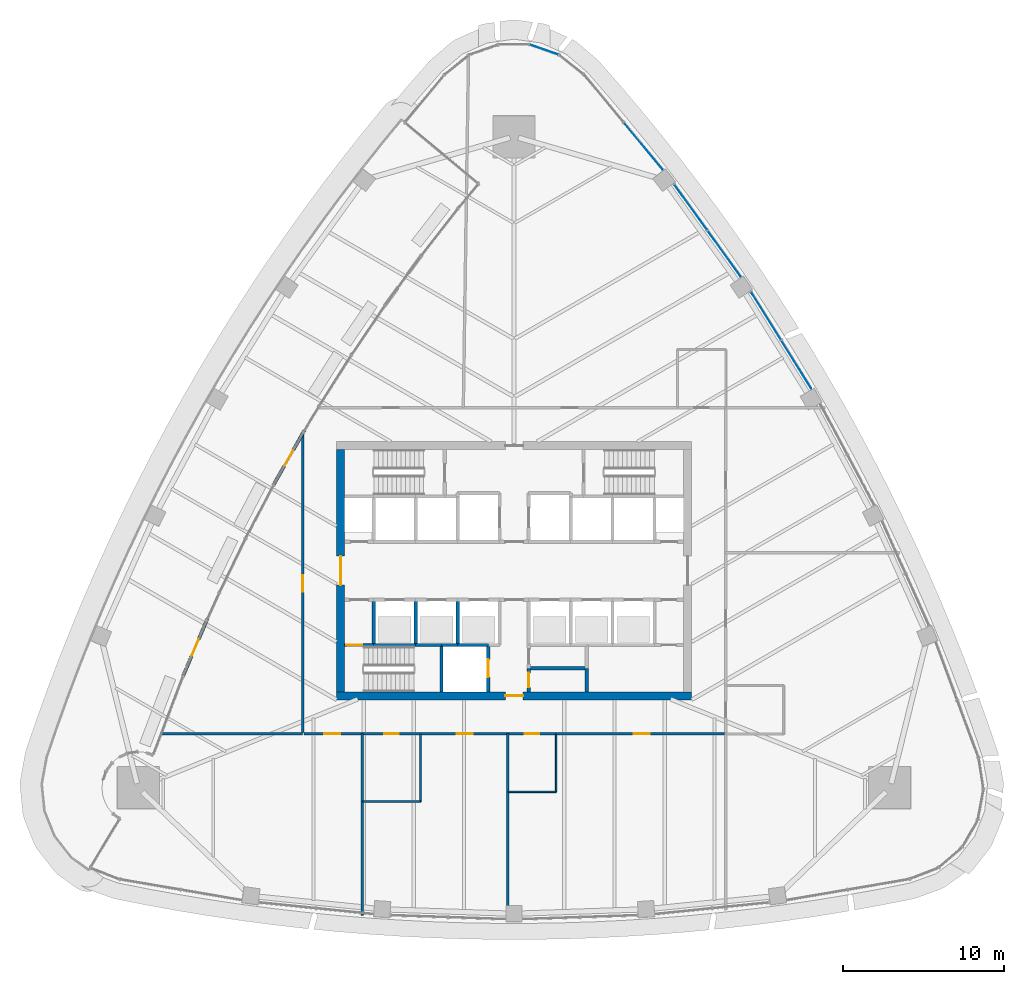
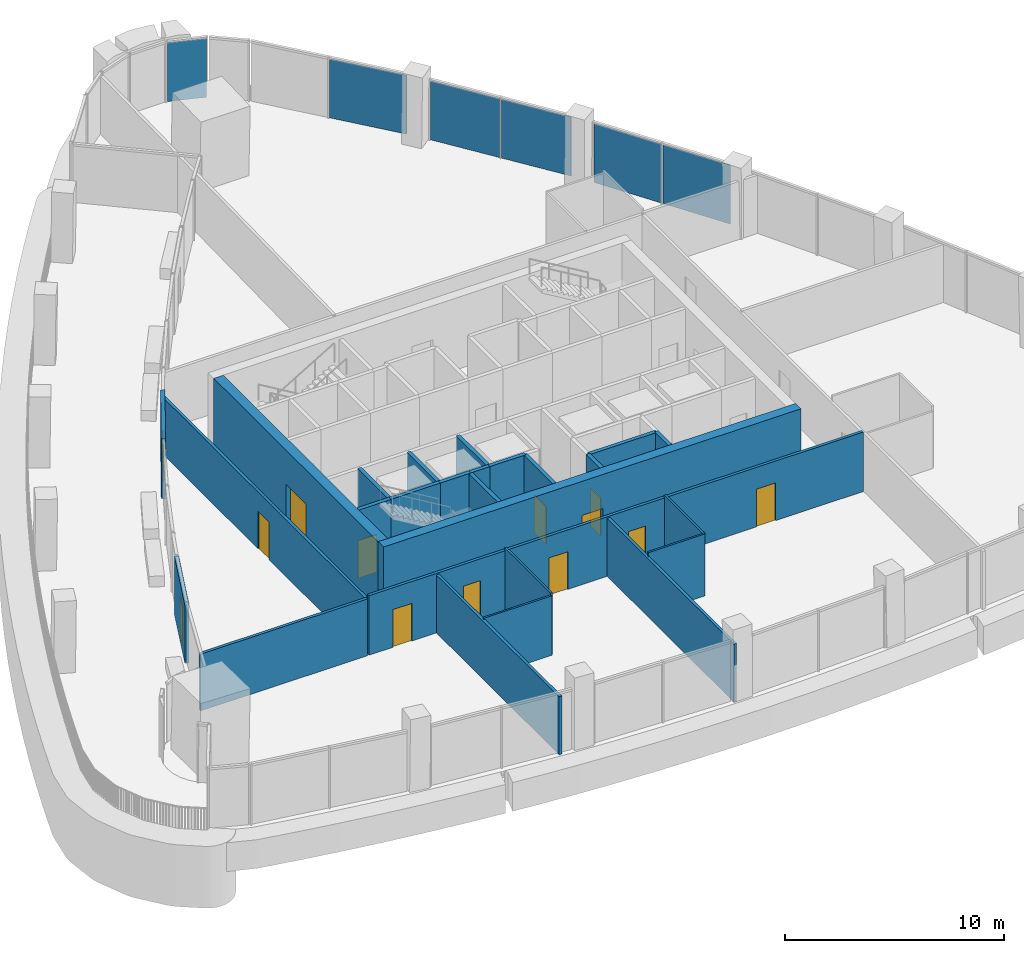
# One storey, part 9 of 18: 26 walls, 13 doors, 6 plates, 13 openings, 4 elements without a shape of their own.
"""IFC4 building model written with IfcOpenShell, lengths in metres."""

from ifc_helpers import new_model, si_unit, direction, frame, frame_2d, origin, origin_2d, place, context, subcontext, project, spatial, rectangle, extrude, material, layer, layer_set, type_object, element, fill, aggregate, save


model = new_model("IFC4")

# Units and contexts
model_context = context("Model", 3, precision=1e-05, world=origin(), true_north=direction((0.0, 1.0)))
body_context = subcontext(model_context, "Body", "Model", "MODEL_VIEW")
ifc_project = project(units=[si_unit("LENGTHUNIT", "METRE"), si_unit("AREAUNIT", "SQUARE_METRE"), si_unit("VOLUMEUNIT", "CUBIC_METRE"), si_unit("PLANEANGLEUNIT", "RADIAN"), si_unit("MASSUNIT", "GRAM", prefix="KILO")], contexts=[model_context])

# Site, building, storey
site_placement = place(None, origin())
site = spatial("IfcSite", under=ifc_project, at=site_placement, CompositionType="ELEMENT")
building_placement = place(site_placement, origin())
building = spatial("IfcBuilding", under=site, at=building_placement, Name="Sierra Prisma Convention Tower", CompositionType="ELEMENT")
storey_placement = place(building_placement, frame((0.0, 0.0, 189.800048828125)))
storey = spatial("IfcBuildingStorey", under=building, at=storey_placement, Name="L42", CompositionType="ELEMENT", Elevation=189.800048828125)

# Curtain wall, plates
ifc_material_1 = material(Name="Aluminium and glass curtain wall", Category="aluminium")
ifc_layer_1 = layer(ifc_material_1, 0.179931640625)
ifc_layer_set_1 = layer_set([ifc_layer_1], Name="CW-1 Plain shaft curtain wall")
curtain_wall_type = type_object("IfcCurtainWallType", Name="CW-1 Plain shaft curtain wall", PredefinedType="NOTDEFINED", material=ifc_layer_set_1)
curtain_wall_1_placement = place(storey_placement, origin())
curtain_wall_1 = element("IfcCurtainWall", 1, at=curtain_wall_1_placement, inside=storey, type_object=curtain_wall_type, Name="CW-1 NE4 L42", PredefinedType="NOTDEFINED")
ifc_material_2 = material(Name="Tinted glass bronze-grey IGU", Category="glass")
ifc_layer_2 = layer(ifc_material_2, 0.028076171875)
ifc_layer_set_2 = layer_set([ifc_layer_2], Name="CW-1 glass panel")
plate_type = type_object("IfcPlateType", Name="CW-1 glass panel", PredefinedType="CURTAIN_PANEL", material=ifc_layer_set_2)
plate_1_placement = place(storey_placement, frame((17.484130859375, 12.768310546875, 0.0), z_axis=(0.0, 0.0, 1.0), x_axis=(-0.529022065491, 0.848608068677, 0.0)))
plate_1 = element("IfcPlate", 2, at=plate_1_placement, type_object=plate_type, Name="CW-1 panel NE4.1", PredefinedType="CURTAIN_PANEL", context=body_context, shape_type="SweptSolid", body=[
    extrude(rectangle(XDim=3.49365234375, YDim=0.028076171875, at=origin_2d()), origin(), (0.0, 0.0, 1.0), 3.280029296875),
])
plate_2_placement = place(storey_placement, frame((15.598876953125, 15.79248046875, 0.0), z_axis=(0.0, 0.0, 1.0), x_axis=(-0.529022065491, 0.848608068677, 0.0)))
plate_2 = element("IfcPlate", 3, at=plate_2_placement, type_object=plate_type, Name="CW-1 panel NE4.2", PredefinedType="CURTAIN_PANEL", context=body_context, shape_type="SweptSolid", body=[
    extrude(rectangle(XDim=3.49365234375, YDim=0.028076171875, at=origin_2d()), origin(), (0.0, 0.0, 1.0), 3.280029296875),
])
aggregate(curtain_wall_1, [plate_1, plate_2])

curtain_wall_2_placement = place(storey_placement, origin())
curtain_wall_2 = element("IfcCurtainWall", 4, at=curtain_wall_2_placement, inside=storey, type_object=curtain_wall_type, Name="CW-1 NE5 L42", PredefinedType="NOTDEFINED")
plate_3_placement = place(storey_placement, frame((13.015380859375, 19.641357421875, 0.0), z_axis=(0.0, 0.0, 1.0), x_axis=(-0.58521542924, 0.810877858484, 0.0)))
plate_3 = element("IfcPlate", 5, at=plate_3_placement, type_object=plate_type, Name="CW-1 panel NE5.1", PredefinedType="CURTAIN_PANEL", context=body_context, shape_type="SweptSolid", body=[
    extrude(rectangle(XDim=3.478515625, YDim=0.028076171875, at=origin_2d()), origin(), (0.0, 0.0, 1.0), 3.280029296875),
])
plate_4_placement = place(storey_placement, frame((10.938720703125, 22.518798828125, 0.0), z_axis=(0.0, 0.0, 1.0), x_axis=(-0.58521542924, 0.810877858484, 0.0)))
plate_4 = element("IfcPlate", 6, at=plate_4_placement, type_object=plate_type, Name="CW-1 panel NE5.2", PredefinedType="CURTAIN_PANEL", context=body_context, shape_type="SweptSolid", body=[
    extrude(rectangle(XDim=3.478515625, YDim=0.028076171875, at=origin_2d()), origin(), (0.0, 0.0, 1.0), 3.280029296875),
])
aggregate(curtain_wall_2, [plate_3, plate_4])

# Curtain wall, plate
curtain_wall_3_placement = place(storey_placement, origin())
curtain_wall_3 = element("IfcCurtainWall", 7, at=curtain_wall_3_placement, inside=storey, type_object=curtain_wall_type, Name="CW-1 NE6 L42", PredefinedType="NOTDEFINED")
plate_5_placement = place(storey_placement, frame((8.000732421875, 26.306884765625, 0.0), z_axis=(0.0, 0.0, 1.0), x_axis=(-0.638727767246, 0.769432803661, 0.0)))
plate_5 = element("IfcPlate", 8, at=plate_5_placement, type_object=plate_type, Name="CW-1 panel NE6.1", PredefinedType="CURTAIN_PANEL", context=body_context, shape_type="SweptSolid", body=[
    extrude(rectangle(XDim=3.749755859375, YDim=0.028076171875, at=origin_2d()), origin(), (0.0, 0.0, 1.0), 3.280029296875),
])
aggregate(curtain_wall_3, [plate_5])

curtain_wall_4_placement = place(storey_placement, origin())
curtain_wall_4 = element("IfcCurtainWall", 9, at=curtain_wall_4_placement, inside=storey, type_object=curtain_wall_type, Name="CW-1 N2 L42", PredefinedType="NOTDEFINED")
plate_6_placement = place(storey_placement, frame((1.886962890625, 32.278076171875, 0.0), z_axis=(0.0, 0.0, 1.0), x_axis=(-0.943538580059, 0.331262657027, 0.0)))
plate_6 = element("IfcPlate", 10, at=plate_6_placement, type_object=plate_type, Name="CW-1 panel N2.1", PredefinedType="CURTAIN_PANEL", context=body_context, shape_type="SweptSolid", body=[
    extrude(rectangle(XDim=1.8017578125, YDim=0.028076171875, at=origin_2d()), origin(), (0.0, 0.0, 1.0), 3.280029296875),
])
aggregate(curtain_wall_4, [plate_6])

# Walls
ifc_material_3 = material(Name="Gypsum board partition", Category="gypsum")
ifc_layer_3 = layer(ifc_material_3, 0.10009765625)
ifc_layer_set_3 = layer_set([ifc_layer_3], Name="Bathroom partition 100")
wall_type_1 = type_object("IfcWallType", Name="Bathroom partition 100", PredefinedType="PARTITIONING", material=ifc_layer_set_3)
wall_1_placement = place(storey_placement, frame((-5.800048828125, -10.1298828125, 0.0), z_axis=(0.0, 0.0, 1.0), x_axis=(0.0, -1.0, 0.0)))
element("IfcWall", 11, at=wall_1_placement, inside=storey, type_object=wall_type_1, Name="Partition L42 bath 1", PredefinedType="PARTITIONING", context=body_context, shape_type="SweptSolid", body=[
    extrude(rectangle(XDim=4.170166015625, YDim=0.10009765625, at=frame_2d((2.0849609375, 0.0))), origin(), (0.0, 0.0, 1.0), 3.449951171875),
])
wall_2_placement = place(storey_placement, frame((-5.800048828125, -14.300048828125, 0.0), z_axis=(0.0, 0.0, 1.0), x_axis=(-1.0, 0.0, 0.0)))
element("IfcWall", 12, at=wall_2_placement, inside=storey, type_object=wall_type_1, Name="Partition L42 bath 2", PredefinedType="PARTITIONING", context=body_context, shape_type="SweptSolid", body=[
    extrude(rectangle(XDim=3.570068359375, YDim=0.10009765625, at=frame_2d((1.78515625, 0.0))), origin(), (0.0, 0.0, 1.0), 3.31689453125),
])
wall_3_placement = place(storey_placement, frame((2.60009765625, -10.1298828125, 0.0), z_axis=(0.0, 0.0, 1.0), x_axis=(0.0, -1.0, 0.0)))
element("IfcWall", 13, at=wall_3_placement, inside=storey, type_object=wall_type_1, Name="Partition L42 bath 3", PredefinedType="PARTITIONING", context=body_context, shape_type="SweptSolid", body=[
    extrude(rectangle(XDim=3.570068359375, YDim=0.10009765625, at=frame_2d((1.78515625, 0.0))), origin(), (0.0, 0.0, 1.0), 3.449951171875),
])
wall_4_placement = place(storey_placement, frame((2.60009765625, -13.699951171875, 0.0), z_axis=(0.0, 0.0, 1.0), x_axis=(-1.0, 0.0, 0.0)))
element("IfcWall", 14, at=wall_4_placement, inside=storey, type_object=wall_type_1, Name="Partition L42 bath 4", PredefinedType="PARTITIONING", context=body_context, shape_type="SweptSolid", body=[
    extrude(rectangle(XDim=2.97021484375, YDim=0.10009765625, at=frame_2d((1.485107421875, 0.0))), origin(), (0.0, 0.0, 1.0), 3.449951171875),
])

# Wall, opening, door
ifc_material_4 = material(Name="Concrete C30/37", Category="concrete")
ifc_layer_4 = layer(ifc_material_4, 0.199951171875)
ifc_layer_set_4 = layer_set([ifc_layer_4], Name="Core wall RC 200 C30/37")
wall_type_2 = type_object("IfcWallType", Name="Core wall RC 200 C30/37", PredefinedType="SOLIDWALL", material=ifc_layer_set_4)
wall_5_placement = place(storey_placement, frame((-10.5, -4.60009765625, 0.0), z_axis=(0.0, 0.0, 1.0), x_axis=(1.0, 0.0, 0.0)))
wall_5 = element("IfcWall", 15, at=wall_5_placement, inside=storey, type_object=wall_type_2, Name="Core wall L42 1", PredefinedType="SOLIDWALL", context=body_context, shape_type="SweptSolid", body=[
    extrude(rectangle(XDim=1.800048828125, YDim=0.199951171875, at=frame_2d((0.89990234375, 0.0))), origin(), (0.0, 0.0, 1.0), 3.849853515625),
])
opening_1_placement = place(wall_5_placement, frame((0.10009765625, 0.0, 0.0)))
opening_1 = element("IfcOpeningElement", 16, at=opening_1_placement, cuts=wall_5, Name="Opening L42-D018", PredefinedType="OPENING", context=body_context, shape_type="SweptSolid", body=[
    extrude(rectangle(XDim=1.0, YDim=2.10009765625, at=frame_2d((0.5, 1.050048828125))), frame((0.0, 0.10009765625, 0.0), z_axis=(0.0, -1.0, 0.0), x_axis=(1.0, 0.0, 0.0)), (0.0, 0.0, 1.0), 0.199951171875),
])
ifc_material_5 = material(Name="Steel fire door leaf", Category="steel")
door_type_1 = type_object("IfcDoorType", Name="Door 1000x2100 FD90S", OperationType="SINGLE_SWING_LEFT", PredefinedType="DOOR", material=ifc_material_5)
door_1_placement = place(opening_1_placement, origin())
door_1 = element("IfcDoor", 17, at=door_1_placement, inside=storey, type_object=door_type_1, Name="Door L42 27", OperationType="SINGLE_SWING_LEFT", OverallHeight=2.10009765625, OverallWidth=1.0, PredefinedType="DOOR", context=body_context, shape_type="SweptSolid", body=[
    extrude(rectangle(XDim=1.0, YDim=2.10009765625, at=frame_2d((0.5, 1.050048828125))), frame((0.0, 0.02490234375, 0.0), z_axis=(0.0, -1.0, 0.0), x_axis=(1.0, 0.0, 0.0)), (0.0, 0.0, 1.0), 0.050048828125),
])
fill(opening_1, door_1)

# Walls
wall_6_placement = place(storey_placement, frame((-8.699951171875, -4.60009765625, 0.0), z_axis=(0.0, 0.0, 1.0), x_axis=(1.0, 0.0, 0.0)))
element("IfcWall", 18, at=wall_6_placement, inside=storey, type_object=wall_type_2, Name="Core wall L42 5", PredefinedType="SOLIDWALL", context=body_context, shape_type="SweptSolid", body=[
    extrude(rectangle(XDim=2.599853515625, YDim=0.199951171875, at=frame_2d((1.2998046875, 0.0))), origin(), (0.0, 0.0, 1.0), 3.849853515625),
])
wall_7_placement = place(storey_placement, frame((-8.699951171875, -4.60009765625, 0.0), z_axis=(0.0, 0.0, 1.0), x_axis=(0.0, 1.0, 0.0)))
element("IfcWall", 19, at=wall_7_placement, inside=storey, type_object=wall_type_2, Name="Core wall L42 6", PredefinedType="SOLIDWALL", context=body_context, shape_type="SweptSolid", body=[
    extrude(rectangle(XDim=2.800048828125, YDim=0.199951171875, at=frame_2d((1.39990234375, 0.0))), origin(), (0.0, 0.0, 1.0), 3.849853515625),
])
wall_8_placement = place(storey_placement, frame((-6.10009765625, -4.60009765625, 0.0), z_axis=(0.0, 0.0, 1.0), x_axis=(1.0, 0.0, 0.0)))
element("IfcWall", 20, at=wall_8_placement, inside=storey, type_object=wall_type_2, Name="Core wall L42 11", PredefinedType="SOLIDWALL", context=body_context, shape_type="SweptSolid", body=[
    extrude(rectangle(XDim=1.60009765625, YDim=0.199951171875, at=frame_2d((0.800048828125, 0.0))), origin(), (0.0, 0.0, 1.0), 3.849853515625),
])
wall_9_placement = place(storey_placement, frame((-6.10009765625, -4.60009765625, 0.0), z_axis=(0.0, 0.0, 1.0), x_axis=(0.0, 1.0, 0.0)))
element("IfcWall", 21, at=wall_9_placement, inside=storey, type_object=wall_type_2, Name="Core wall L42 12", PredefinedType="SOLIDWALL", context=body_context, shape_type="SweptSolid", body=[
    extrude(rectangle(XDim=2.800048828125, YDim=0.199951171875, at=frame_2d((1.39990234375, 0.0))), origin(), (0.0, 0.0, 1.0), 3.849853515625),
])
wall_10_placement = place(storey_placement, frame((-4.5, -4.60009765625, 0.0), z_axis=(0.0, 0.0, 1.0), x_axis=(0.0, -1.0, 0.0)))
element("IfcWall", 22, at=wall_10_placement, inside=storey, type_object=wall_type_2, Name="Core wall L42 17", PredefinedType="SOLIDWALL", context=body_context, shape_type="SweptSolid", body=[
    extrude(rectangle(XDim=2.89990234375, YDim=0.199951171875, at=frame_2d((1.449951171875, 0.0))), origin(), (0.0, 0.0, 1.0), 3.849853515625),
])
wall_11_placement = place(storey_placement, frame((-4.5, -4.60009765625, 0.0), z_axis=(0.0, 0.0, 1.0), x_axis=(1.0, 0.0, 0.0)))
element("IfcWall", 23, at=wall_11_placement, inside=storey, type_object=wall_type_2, Name="Core wall L42 18", PredefinedType="SOLIDWALL", context=body_context, shape_type="SweptSolid", body=[
    extrude(rectangle(XDim=1.0, YDim=0.199951171875, at=frame_2d((0.5, 0.0))), origin(), (0.0, 0.0, 1.0), 3.849853515625),
])
wall_12_placement = place(storey_placement, frame((-3.5, -4.60009765625, 0.0), z_axis=(0.0, 0.0, 1.0), x_axis=(1.0, 0.0, 0.0)))
element("IfcWall", 24, at=wall_12_placement, inside=storey, type_object=wall_type_2, Name="Core wall L42 21", PredefinedType="SOLIDWALL", context=body_context, shape_type="SweptSolid", body=[
    extrude(rectangle(XDim=1.89990234375, YDim=0.199951171875, at=frame_2d((0.949951171875, 0.0))), origin(), (0.0, 0.0, 1.0), 3.849853515625),
])
wall_13_placement = place(storey_placement, frame((-3.5, -4.60009765625, 0.0), z_axis=(0.0, 0.0, 1.0), x_axis=(0.0, 1.0, 0.0)))
element("IfcWall", 25, at=wall_13_placement, inside=storey, type_object=wall_type_2, Name="Core wall L42 22", PredefinedType="SOLIDWALL", context=body_context, shape_type="SweptSolid", body=[
    extrude(rectangle(XDim=2.800048828125, YDim=0.199951171875, at=frame_2d((1.39990234375, 0.0))), origin(), (0.0, 0.0, 1.0), 3.849853515625),
])

# Wall, opening, door
wall_14_placement = place(storey_placement, frame((-1.60009765625, -7.5, 0.0), z_axis=(0.0, 0.0, 1.0), x_axis=(0.0, 1.0, 0.0)))
wall_14 = element("IfcWall", 26, at=wall_14_placement, inside=storey, type_object=wall_type_2, Name="Core wall L42 29", PredefinedType="SOLIDWALL", context=body_context, shape_type="SweptSolid", body=[
    extrude(rectangle(XDim=2.89990234375, YDim=0.199951171875, at=frame_2d((1.449951171875, 0.0))), origin(), (0.0, 0.0, 1.0), 3.849853515625),
])
opening_2_placement = place(wall_14_placement, frame((0.89990234375, 0.0, 0.0)))
opening_2 = element("IfcOpeningElement", 27, at=opening_2_placement, cuts=wall_14, Name="Opening L42-D012", PredefinedType="OPENING", context=body_context, shape_type="SweptSolid", body=[
    extrude(rectangle(XDim=1.10009765625, YDim=2.10009765625, at=frame_2d((0.550048828125, 1.050048828125))), frame((0.0, 0.10009765625, 0.0), z_axis=(0.0, -1.0, 0.0), x_axis=(1.0, 0.0, 0.0)), (0.0, 0.0, 1.0), 0.199951171875),
])
ifc_material_6 = material(Name="Steel fire door leaf", Category="steel")
door_type_2 = type_object("IfcDoorType", Name="Door 1100x2100 EI 90 sliding lift landing", OperationType="SLIDING_TO_LEFT", PredefinedType="DOOR", material=ifc_material_6)
door_2_placement = place(opening_2_placement, origin())
door_2 = element("IfcDoor", 28, at=door_2_placement, inside=storey, type_object=door_type_2, Name="Door L42 21", OperationType="SLIDING_TO_RIGHT", OverallHeight=2.10009765625, OverallWidth=1.10009765625, PredefinedType="DOOR", context=body_context, shape_type="SweptSolid", body=[
    extrude(rectangle(XDim=1.10009765625, YDim=2.10009765625, at=frame_2d((0.550048828125, 1.050048828125))), frame((0.0, 0.02490234375, 0.0), z_axis=(0.0, -1.0, 0.0), x_axis=(1.0, 0.0, 0.0)), (0.0, 0.0, 1.0), 0.050048828125),
])
fill(opening_2, door_2)

wall_15_placement = place(storey_placement, frame((0.89990234375, -6.050048828125, 0.0), z_axis=(0.0, 0.0, 1.0), x_axis=(0.0, -1.0, 0.0)))
wall_15 = element("IfcWall", 29, at=wall_15_placement, inside=storey, type_object=wall_type_2, Name="Core wall L42 34", PredefinedType="SOLIDWALL", context=body_context, shape_type="SweptSolid", body=[
    extrude(rectangle(XDim=1.449951171875, YDim=0.199951171875, at=frame_2d((0.72509765625, 0.0))), origin(), (0.0, 0.0, 1.0), 3.849853515625),
])
opening_3_placement = place(wall_15_placement, frame((0.27490234375, 0.0, 0.0)))
opening_3 = element("IfcOpeningElement", 30, at=opening_3_placement, cuts=wall_15, Name="Opening L42-D023", PredefinedType="OPENING", context=body_context, shape_type="SweptSolid", body=[
    extrude(rectangle(XDim=0.89990234375, YDim=2.10009765625, at=frame_2d((0.449951171875, 1.050048828125))), frame((0.0, 0.10009765625, 0.0), z_axis=(0.0, -1.0, 0.0), x_axis=(1.0, 0.0, 0.0)), (0.0, 0.0, 1.0), 0.199951171875),
])
ifc_material_7 = material(Name="Steel fire door leaf", Category="steel")
door_type_3 = type_object("IfcDoorType", Name="Door 900x2100 FD30S", OperationType="SINGLE_SWING_LEFT", PredefinedType="DOOR", material=ifc_material_7)
door_3_placement = place(opening_3_placement, origin())
door_3 = element("IfcDoor", 31, at=door_3_placement, inside=storey, type_object=door_type_3, Name="Door L42 32", OperationType="SINGLE_SWING_LEFT", OverallHeight=2.10009765625, OverallWidth=0.89990234375, PredefinedType="DOOR", context=body_context, shape_type="SweptSolid", body=[
    extrude(rectangle(XDim=0.89990234375, YDim=2.10009765625, at=frame_2d((0.449951171875, 1.050048828125))), frame((0.0, 0.02490234375, 0.0), z_axis=(0.0, -1.0, 0.0), x_axis=(1.0, 0.0, 0.0)), (0.0, 0.0, 1.0), 0.050048828125),
])
fill(opening_3, door_3)

# Walls
wall_16_placement = place(storey_placement, frame((4.5, -6.050048828125, 0.0), z_axis=(0.0, 0.0, 1.0), x_axis=(-1.0, 0.0, 0.0)))
element("IfcWall", 32, at=wall_16_placement, inside=storey, type_object=wall_type_2, Name="Core wall L42 35", PredefinedType="SOLIDWALL", context=body_context, shape_type="SweptSolid", body=[
    extrude(rectangle(XDim=3.60009765625, YDim=0.199951171875, at=frame_2d((1.800048828125, 0.0))), origin(), (0.0, 0.0, 1.0), 3.849853515625),
])
wall_17_placement = place(storey_placement, frame((4.5, -6.050048828125, 0.0), z_axis=(0.0, 0.0, 1.0), x_axis=(0.0, -1.0, 0.0)))
element("IfcWall", 33, at=wall_17_placement, inside=storey, type_object=wall_type_2, Name="Core wall L42 52", PredefinedType="SOLIDWALL", context=body_context, shape_type="SweptSolid", body=[
    extrude(rectangle(XDim=1.449951171875, YDim=0.199951171875, at=frame_2d((0.72509765625, 0.0))), origin(), (0.0, 0.0, 1.0), 3.849853515625),
])

# Wall, opening, door
ifc_material_8 = material(Name="Concrete C60/75", Category="concrete")
ifc_layer_5 = layer(ifc_material_8, 0.5)
ifc_layer_set_5 = layer_set([ifc_layer_5], Name="Core wall RC 500 C60/75")
wall_type_3 = type_object("IfcWallType", Name="Core wall RC 500 C60/75", PredefinedType="SHEAR", material=ifc_layer_set_5)
wall_18_placement = place(storey_placement, frame((-11.0, -7.75, 0.0), z_axis=(0.0, 0.0, 1.0), x_axis=(1.0, 0.0, 0.0)))
wall_18 = element("IfcWall", 34, at=wall_18_placement, inside=storey, type_object=wall_type_3, Name="Core wall S L42", PredefinedType="SHEAR", context=body_context, shape_type="SweptSolid", body=[
    extrude(rectangle(XDim=22.0, YDim=0.5, at=frame_2d((11.0, 0.0))), origin(), (0.0, 0.0, 1.0), 4.0),
])
opening_4_placement = place(wall_18_placement, frame((10.449951171875, 0.0, 0.0)))
opening_4 = element("IfcOpeningElement", 35, at=opening_4_placement, cuts=wall_18, Name="Opening L42-D039", PredefinedType="OPENING", context=body_context, shape_type="SweptSolid", body=[
    extrude(rectangle(XDim=1.10009765625, YDim=2.10009765625, at=frame_2d((0.550048828125, 1.050048828125))), frame((0.0, 0.25, 0.0), z_axis=(0.0, -1.0, 0.0), x_axis=(1.0, 0.0, 0.0)), (0.0, 0.0, 1.0), 0.5),
])
ifc_material_9 = material(Name="Steel fire door leaf", Category="steel")
door_type_4 = type_object("IfcDoorType", Name="Door 1100x2100 FD30S", OperationType="SINGLE_SWING_LEFT", PredefinedType="DOOR", material=ifc_material_9)
door_4_placement = place(opening_4_placement, origin())
door_4 = element("IfcDoor", 36, at=door_4_placement, inside=storey, type_object=door_type_4, Name="Door L42 37", OperationType="SINGLE_SWING_RIGHT", OverallHeight=2.10009765625, OverallWidth=1.10009765625, PredefinedType="DOOR", context=body_context, shape_type="SweptSolid", body=[
    extrude(rectangle(XDim=1.10009765625, YDim=2.10009765625, at=frame_2d((0.550048828125, 1.050048828125))), frame((0.0, 0.02490234375, 0.0), z_axis=(0.0, -1.0, 0.0), x_axis=(1.0, 0.0, 0.0)), (0.0, 0.0, 1.0), 0.050048828125),
])
fill(opening_4, door_4)

wall_19_placement = place(storey_placement, frame((-10.75, -7.5, 0.0), z_axis=(0.0, 0.0, 1.0), x_axis=(0.0, 1.0, 0.0)))
wall_19 = element("IfcWall", 37, at=wall_19_placement, inside=storey, type_object=wall_type_3, Name="Core wall W L42", PredefinedType="SHEAR", context=body_context, shape_type="SweptSolid", body=[
    extrude(rectangle(XDim=15.0, YDim=0.5, at=frame_2d((7.5, 0.0))), origin(), (0.0, 0.0, 1.0), 4.0),
])
opening_5_placement = place(wall_19_placement, frame((6.60009765625, 0.0, 0.0)))
opening_5 = element("IfcOpeningElement", 38, at=opening_5_placement, cuts=wall_19, Name="Opening L42-D040", PredefinedType="OPENING", context=body_context, shape_type="SweptSolid", body=[
    extrude(rectangle(XDim=1.800048828125, YDim=2.10009765625, at=frame_2d((0.89990234375, 1.050048828125))), frame((0.0, 0.25, 0.0), z_axis=(0.0, -1.0, 0.0), x_axis=(1.0, 0.0, 0.0)), (0.0, 0.0, 1.0), 0.5),
])
ifc_material_10 = material(Name="Steel fire door leaf", Category="steel")
door_type_5 = type_object("IfcDoorType", Name="Door 1800x2100 FD60S", OperationType="DOUBLE_DOOR_SINGLE_SWING", PredefinedType="DOOR", material=ifc_material_10)
door_5_placement = place(opening_5_placement, origin())
door_5 = element("IfcDoor", 39, at=door_5_placement, inside=storey, type_object=door_type_5, Name="Door L42 34", OperationType="DOUBLE_DOOR_SINGLE_SWING", OverallHeight=2.10009765625, OverallWidth=1.800048828125, PredefinedType="DOOR", context=body_context, shape_type="SweptSolid", body=[
    extrude(rectangle(XDim=1.800048828125, YDim=2.10009765625, at=frame_2d((0.89990234375, 1.050048828125))), frame((0.0, 0.02490234375, 0.0), z_axis=(0.0, -1.0, 0.0), x_axis=(1.0, 0.0, 0.0)), (0.0, 0.0, 1.0), 0.050048828125),
])
fill(opening_5, door_5)

ifc_material_11 = material(Name="Gypsum board partition", Category="gypsum")
ifc_layer_6 = layer(ifc_material_11, 0.14990234375)
ifc_layer_set_6 = layer_set([ifc_layer_6], Name="Corridor wall 150 gypsum EI 60")
wall_type_4 = type_object("IfcWallType", Name="Corridor wall 150 gypsum EI 60", PredefinedType="PARTITIONING", material=ifc_layer_set_6)
wall_20_placement = place(storey_placement, frame((-13.10009765625, 8.5107421875, 0.0), z_axis=(0.0, 0.0, 1.0), x_axis=(0.0, -1.0, 0.0)))
wall_20 = element("IfcWall", 40, at=wall_20_placement, inside=storey, type_object=wall_type_4, Name="Partition L42 corr 1", PredefinedType="PARTITIONING", context=body_context, shape_type="SweptSolid", body=[
    extrude(rectangle(XDim=18.53076171875, YDim=0.14990234375, at=frame_2d((9.265380859375, 0.0))), origin(), (0.0, 0.0, 1.0), 3.166015625),
])
opening_6_placement = place(wall_20_placement, frame((8.805419921875, 0.0, 0.0)))
opening_6 = element("IfcOpeningElement", 41, at=opening_6_placement, cuts=wall_20, Name="Opening L42-D029", PredefinedType="OPENING", context=body_context, shape_type="SweptSolid", body=[
    extrude(rectangle(XDim=1.0, YDim=2.10009765625, at=frame_2d((0.5, 1.050048828125))), frame((0.0, 0.074951171875, 0.0), z_axis=(0.0, -1.0, 0.0), x_axis=(1.0, 0.0, 0.0)), (0.0, 0.0, 1.0), 0.14990234375),
])
ifc_material_12 = material(Name="Steel fire door leaf", Category="steel")
door_type_6 = type_object("IfcDoorType", Name="Door 1000x2100 FD30S", OperationType="SINGLE_SWING_LEFT", PredefinedType="DOOR", material=ifc_material_12)
door_6_placement = place(opening_6_placement, origin())
door_6 = element("IfcDoor", 42, at=door_6_placement, inside=storey, type_object=door_type_6, Name="Door L42 5", OperationType="SINGLE_SWING_RIGHT", OverallHeight=2.10009765625, OverallWidth=1.0, PredefinedType="DOOR", context=body_context, shape_type="SweptSolid", body=[
    extrude(rectangle(XDim=1.0, YDim=2.10009765625, at=frame_2d((0.5, 1.050048828125))), frame((0.0, 0.02490234375, 0.0), z_axis=(0.0, -1.0, 0.0), x_axis=(1.0, 0.0, 0.0)), (0.0, 0.0, 1.0), 0.050048828125),
])
fill(opening_6, door_6)

# Wall, openings, doors
wall_21_placement = place(storey_placement, frame((-13.02001953125, -10.10009765625, 0.0), z_axis=(0.0, 0.0, 1.0), x_axis=(1.0, 0.0, 0.0)))
wall_21 = element("IfcWall", 43, at=wall_21_placement, inside=storey, type_object=wall_type_4, Name="Partition L42 corr 2", PredefinedType="PARTITIONING", context=body_context, shape_type="SweptSolid", body=[
    extrude(rectangle(XDim=26.0400390625, YDim=0.14990234375, at=frame_2d((13.02001953125, 0.0))), origin(), (0.0, 0.0, 1.0), 3.31689453125),
])
opening_7_placement = place(wall_21_placement, frame((1.260009765625, 0.0, 0.0)))
opening_7 = element("IfcOpeningElement", 44, at=opening_7_placement, cuts=wall_21, Name="Opening L42-D030", PredefinedType="OPENING", context=body_context, shape_type="SweptSolid", body=[
    extrude(rectangle(XDim=1.0, YDim=2.10009765625, at=frame_2d((0.5, 1.050048828125))), frame((0.0, 0.074951171875, 0.0), z_axis=(0.0, -1.0, 0.0), x_axis=(1.0, 0.0, 0.0)), (0.0, 0.0, 1.0), 0.14990234375),
])
opening_8_placement = place(wall_21_placement, frame((4.969970703125, 0.0, 0.0)))
opening_8 = element("IfcOpeningElement", 45, at=opening_8_placement, cuts=wall_21, Name="Opening L42-D031", PredefinedType="OPENING", context=body_context, shape_type="SweptSolid", body=[
    extrude(rectangle(XDim=0.89990234375, YDim=2.10009765625, at=frame_2d((0.449951171875, 1.050048828125))), frame((0.0, 0.074951171875, 0.0), z_axis=(0.0, -1.0, 0.0), x_axis=(1.0, 0.0, 0.0)), (0.0, 0.0, 1.0), 0.14990234375),
])
opening_9_placement = place(wall_21_placement, frame((9.469970703125, 0.0, 0.0)))
opening_9 = element("IfcOpeningElement", 46, at=opening_9_placement, cuts=wall_21, Name="Opening L42-D032", PredefinedType="OPENING", context=body_context, shape_type="SweptSolid", body=[
    extrude(rectangle(XDim=1.0, YDim=2.10009765625, at=frame_2d((0.5, 1.050048828125))), frame((0.0, 0.074951171875, 0.0), z_axis=(0.0, -1.0, 0.0), x_axis=(1.0, 0.0, 0.0)), (0.0, 0.0, 1.0), 0.14990234375),
])
opening_10_placement = place(wall_21_placement, frame((13.669921875, 0.0, 0.0)))
opening_10 = element("IfcOpeningElement", 47, at=opening_10_placement, cuts=wall_21, Name="Opening L42-D033", PredefinedType="OPENING", context=body_context, shape_type="SweptSolid", body=[
    extrude(rectangle(XDim=0.89990234375, YDim=2.10009765625, at=frame_2d((0.449951171875, 1.050048828125))), frame((0.0, 0.074951171875, 0.0), z_axis=(0.0, -1.0, 0.0), x_axis=(1.0, 0.0, 0.0)), (0.0, 0.0, 1.0), 0.14990234375),
])
opening_11_placement = place(wall_21_placement, frame((20.419921875, 0.0, 0.0)))
opening_11 = element("IfcOpeningElement", 48, at=opening_11_placement, cuts=wall_21, Name="Opening L42-D034", PredefinedType="OPENING", context=body_context, shape_type="SweptSolid", body=[
    extrude(rectangle(XDim=1.0, YDim=2.10009765625, at=frame_2d((0.5, 1.050048828125))), frame((0.0, 0.074951171875, 0.0), z_axis=(0.0, -1.0, 0.0), x_axis=(1.0, 0.0, 0.0)), (0.0, 0.0, 1.0), 0.14990234375),
])
door_7_placement = place(opening_7_placement, origin())
door_7 = element("IfcDoor", 49, at=door_7_placement, inside=storey, type_object=door_type_6, Name="Door L42 6", OperationType="SINGLE_SWING_RIGHT", OverallHeight=2.10009765625, OverallWidth=1.0, PredefinedType="DOOR", context=body_context, shape_type="SweptSolid", body=[
    extrude(rectangle(XDim=1.0, YDim=2.10009765625, at=frame_2d((0.5, 1.050048828125))), frame((0.0, 0.02490234375, 0.0), z_axis=(0.0, -1.0, 0.0), x_axis=(1.0, 0.0, 0.0)), (0.0, 0.0, 1.0), 0.050048828125),
])
fill(opening_7, door_7)
door_8_placement = place(opening_9_placement, origin())
door_8 = element("IfcDoor", 50, at=door_8_placement, inside=storey, type_object=door_type_6, Name="Door L42 8", OperationType="SINGLE_SWING_LEFT", OverallHeight=2.10009765625, OverallWidth=1.0, PredefinedType="DOOR", context=body_context, shape_type="SweptSolid", body=[
    extrude(rectangle(XDim=1.0, YDim=2.10009765625, at=frame_2d((0.5, 1.050048828125))), frame((0.0, 0.02490234375, 0.0), z_axis=(0.0, -1.0, 0.0), x_axis=(1.0, 0.0, 0.0)), (0.0, 0.0, 1.0), 0.050048828125),
])
fill(opening_9, door_8)
door_9_placement = place(opening_11_placement, origin())
door_9 = element("IfcDoor", 51, at=door_9_placement, inside=storey, type_object=door_type_6, Name="Door L42 10", OperationType="SINGLE_SWING_LEFT", OverallHeight=2.10009765625, OverallWidth=1.0, PredefinedType="DOOR", context=body_context, shape_type="SweptSolid", body=[
    extrude(rectangle(XDim=1.0, YDim=2.10009765625, at=frame_2d((0.5, 1.050048828125))), frame((0.0, 0.02490234375, 0.0), z_axis=(0.0, -1.0, 0.0), x_axis=(1.0, 0.0, 0.0)), (0.0, 0.0, 1.0), 0.050048828125),
])
fill(opening_11, door_9)
door_10_placement = place(opening_8_placement, origin())
door_10 = element("IfcDoor", 52, at=door_10_placement, inside=storey, type_object=door_type_3, Name="Door L42 7", OperationType="SINGLE_SWING_LEFT", OverallHeight=2.10009765625, OverallWidth=0.89990234375, PredefinedType="DOOR", context=body_context, shape_type="SweptSolid", body=[
    extrude(rectangle(XDim=0.89990234375, YDim=2.10009765625, at=frame_2d((0.449951171875, 1.050048828125))), frame((0.0, 0.02490234375, 0.0), z_axis=(0.0, -1.0, 0.0), x_axis=(1.0, 0.0, 0.0)), (0.0, 0.0, 1.0), 0.050048828125),
])
fill(opening_8, door_10)
door_11_placement = place(opening_10_placement, origin())
door_11 = element("IfcDoor", 53, at=door_11_placement, inside=storey, type_object=door_type_3, Name="Door L42 9", OperationType="SINGLE_SWING_RIGHT", OverallHeight=2.10009765625, OverallWidth=0.89990234375, PredefinedType="DOOR", context=body_context, shape_type="SweptSolid", body=[
    extrude(rectangle(XDim=0.89990234375, YDim=2.10009765625, at=frame_2d((0.449951171875, 1.050048828125))), frame((0.0, 0.02490234375, 0.0), z_axis=(0.0, -1.0, 0.0), x_axis=(1.0, 0.0, 0.0)), (0.0, 0.0, 1.0), 0.050048828125),
])
fill(opening_10, door_11)

# Walls
ifc_material_13 = material(Name="Gypsum board partition", Category="gypsum")
ifc_layer_7 = layer(ifc_material_13, 0.14990234375)
ifc_layer_set_7 = layer_set([ifc_layer_7], Name="Party wall 150 gypsum")
wall_type_5 = type_object("IfcWallType", Name="Party wall 150 gypsum", PredefinedType="PARTITIONING", material=ifc_layer_set_7)
wall_22_placement = place(storey_placement, frame((-13.10009765625, -10.10009765625, 0.0), z_axis=(0.0, 0.0, 1.0), x_axis=(-1.0, 0.0, 0.0)))
element("IfcWall", 54, at=wall_22_placement, inside=storey, type_object=wall_type_5, Name="Partition L42 party 1", PredefinedType="PARTITIONING", context=body_context, shape_type="SweptSolid", body=[
    extrude(rectangle(XDim=8.791748046875, YDim=0.14990234375, at=frame_2d((4.39599609375, 0.0))), origin(), (0.0, 0.0, 1.0), 3.166015625),
])
wall_23_placement = place(storey_placement, frame((-9.39990234375, -10.10009765625, 0.0), z_axis=(0.0, 0.0, 1.0), x_axis=(0.0, -1.0, 0.0)))
element("IfcWall", 55, at=wall_23_placement, inside=storey, type_object=wall_type_5, Name="Partition L42 party 2", PredefinedType="PARTITIONING", context=body_context, shape_type="SweptSolid", body=[
    extrude(rectangle(XDim=11.2666015625, YDim=0.14990234375, at=frame_2d((5.63330078125, 0.0))), origin(), (0.0, 0.0, 1.0), 3.23388671875),
])
wall_24_placement = place(storey_placement, frame((-0.39990234375, -10.10009765625, 0.0), z_axis=(0.0, 0.0, 1.0), x_axis=(0.0, -1.0, 0.0)))
element("IfcWall", 56, at=wall_24_placement, inside=storey, type_object=wall_type_5, Name="Partition L42 party 4", PredefinedType="PARTITIONING", context=body_context, shape_type="SweptSolid", body=[
    extrude(rectangle(XDim=11.630126953125, YDim=0.14990234375, at=frame_2d((5.81494140625, 0.0))), origin(), (0.0, 0.0, 1.0), 3.23388671875),
])

# Wall, opening, door
ifc_material_14 = material(Name="Precast concrete C40/50", Category="concrete")
ifc_layer_8 = layer(ifc_material_14, 0.199951171875)
ifc_layer_set_8 = layer_set([ifc_layer_8], Name="Terrace door pier")
wall_type_6 = type_object("IfcWallType", Name="Terrace door pier", PredefinedType="SOLIDWALL", material=ifc_layer_set_8)
wall_25_placement = place(storey_placement, frame((-12.99755859375, 8.689453125, 0.0), z_axis=(0.0, 0.0, 1.0), x_axis=(-0.492974917458, -0.870043522335, 0.0)))
wall_25 = element("IfcWall", 57, at=wall_25_placement, inside=storey, type_object=wall_type_6, Name="Terrace door bay L42.7", PredefinedType="SOLIDWALL", context=body_context, shape_type="SweptSolid", body=[
    extrude(rectangle(XDim=3.92626953125, YDim=0.199951171875, at=frame_2d((1.963134765625, 0.0))), origin(), (0.0, 0.0, 1.0), 3.33984375),
])
opening_12_placement = place(wall_25_placement, frame((1.4130859375, 0.0, 0.0)))
opening_12 = element("IfcOpeningElement", 58, at=opening_12_placement, cuts=wall_25, Name="Opening L42-D003", PredefinedType="OPENING", context=body_context, shape_type="SweptSolid", body=[
    extrude(rectangle(XDim=1.10009765625, YDim=2.10009765625, at=frame_2d((0.550048828125, 1.050048828125))), frame((0.0, 0.10009765625, 0.0), z_axis=(0.0, -1.0, 0.0), x_axis=(1.0, 0.0, 0.0)), (0.0, 0.0, 1.0), 0.199951171875),
])
ifc_material_15 = material(Name="Bronze anodised aluminium and glass", Category="aluminium")
door_type_7 = type_object("IfcDoorType", Name="Terrace door 1100 x 2100", OperationType="SINGLE_SWING_LEFT", PredefinedType="DOOR", material=ifc_material_15)
door_12_placement = place(opening_12_placement, origin())
door_12 = element("IfcDoor", 59, at=door_12_placement, inside=storey, type_object=door_type_7, Name="Terrace door L42.7", OperationType="SINGLE_SWING_LEFT", OverallHeight=2.10009765625, OverallWidth=1.10009765625, PredefinedType="DOOR", context=body_context, shape_type="SweptSolid", body=[
    extrude(rectangle(XDim=1.10009765625, YDim=2.10009765625, at=frame_2d((0.550048828125, 1.050048828125))), frame((0.0, 0.02490234375, 0.0), z_axis=(0.0, -1.0, 0.0), x_axis=(1.0, 0.0, 0.0)), (0.0, 0.0, 1.0), 0.050048828125),
])
fill(opening_12, door_12)

wall_26_placement = place(storey_placement, frame((-18.99853515625, -2.961181640625, 0.0), z_axis=(0.0, 0.0, 1.0), x_axis=(-0.391065585554, -0.920362813132, 0.0)))
wall_26 = element("IfcWall", 60, at=wall_26_placement, inside=storey, type_object=wall_type_6, Name="Terrace door bay L42.11", PredefinedType="SOLIDWALL", context=body_context, shape_type="SweptSolid", body=[
    extrude(rectangle(XDim=3.92626953125, YDim=0.199951171875, at=frame_2d((1.963134765625, 0.0))), origin(), (0.0, 0.0, 1.0), 3.2470703125),
])
opening_13_placement = place(wall_26_placement, frame((1.4130859375, 0.0, 0.0)))
opening_13 = element("IfcOpeningElement", 61, at=opening_13_placement, cuts=wall_26, Name="Opening L42-D001", PredefinedType="OPENING", context=body_context, shape_type="SweptSolid", body=[
    extrude(rectangle(XDim=1.10009765625, YDim=2.10009765625, at=frame_2d((0.550048828125, 1.050048828125))), frame((0.0, 0.10009765625, 0.0), z_axis=(0.0, -1.0, 0.0), x_axis=(1.0, 0.0, 0.0)), (0.0, 0.0, 1.0), 0.199951171875),
])
door_13_placement = place(opening_13_placement, origin())
door_13 = element("IfcDoor", 62, at=door_13_placement, inside=storey, type_object=door_type_7, Name="Terrace door L42.11", OperationType="SINGLE_SWING_RIGHT", OverallHeight=2.10009765625, OverallWidth=1.10009765625, PredefinedType="DOOR", context=body_context, shape_type="SweptSolid", body=[
    extrude(rectangle(XDim=1.10009765625, YDim=2.10009765625, at=frame_2d((0.550048828125, 1.050048828125))), frame((0.0, 0.02490234375, 0.0), z_axis=(0.0, -1.0, 0.0), x_axis=(1.0, 0.0, 0.0)), (0.0, 0.0, 1.0), 0.050048828125),
])
fill(opening_13, door_13)

save(model, "model.ifc")
